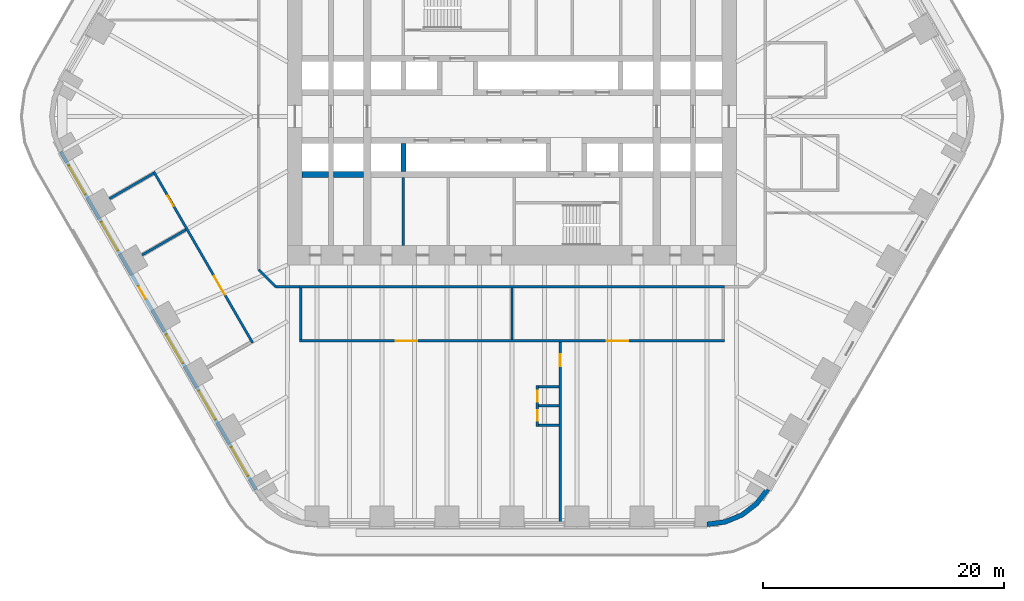
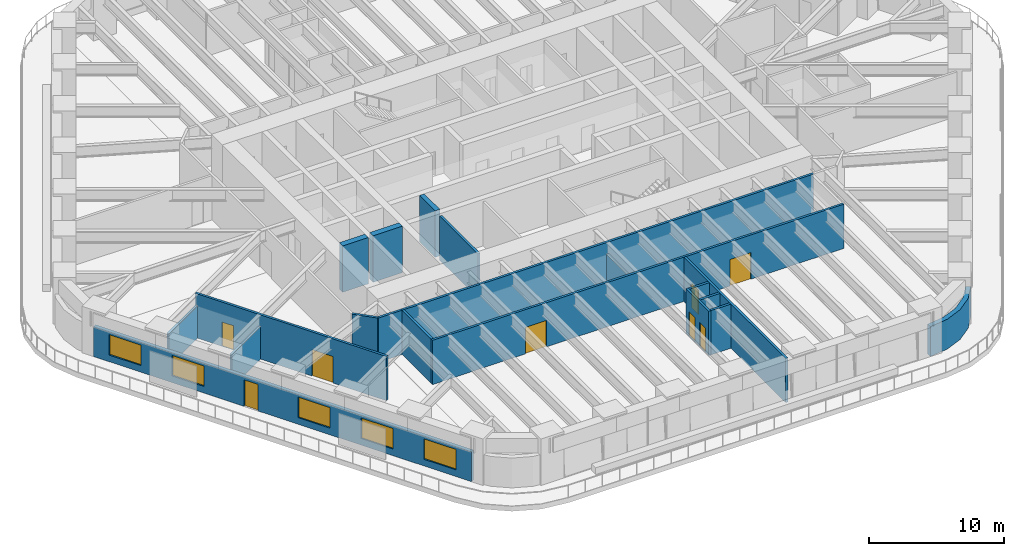
# One storey, part 16 of 24: 20 walls, 8 doors, 5 windows, 13 openings.
"""IFC4 building model written with IfcOpenShell, lengths in metres."""

from ifc_helpers import new_model, si_unit, direction, frame, frame_2d, origin, place, context, subcontext, project, spatial, polyline, rectangle, outline, extrude, material, layer, layer_set, type_object, element, fill, save


model = new_model("IFC4")

# Units and contexts
model_context = context("Model", 3, precision=1e-05, world=origin(), true_north=direction((0.0, 1.0)))
body_context = subcontext(model_context, "Body", "Model", "MODEL_VIEW")
ifc_project = project(units=[si_unit("LENGTHUNIT", "METRE"), si_unit("AREAUNIT", "SQUARE_METRE"), si_unit("VOLUMEUNIT", "CUBIC_METRE"), si_unit("PLANEANGLEUNIT", "RADIAN"), si_unit("MASSUNIT", "GRAM", prefix="KILO")], contexts=[model_context])

# Site, building, storey
site_placement = place(None, origin())
site = spatial("IfcSite", under=ifc_project, at=site_placement, CompositionType="ELEMENT")
building_placement = place(site_placement, origin())
building = spatial("IfcBuilding", under=site, at=building_placement, Name="Tarfa Lantern Tower", CompositionType="ELEMENT")
storey_placement = place(building_placement, frame((0.0, 0.0, 69.699951171875)))
storey = spatial("IfcBuildingStorey", under=building, at=storey_placement, Name="L15", CompositionType="ELEMENT", Elevation=69.699951171875)

# Wall, openings, door, windows
ifc_material_1 = material(Name="Limestone cladding on blockwork", Category="masonry")
ifc_layer_1 = layer(ifc_material_1, 0.300048828125)
ifc_layer_set_1 = layer_set([ifc_layer_1], Name="EW1 STONE-CLAD WALL 300")
wall_type_1 = type_object("IfcWallType", Name="EW1 STONE-CLAD WALL 300", PredefinedType="SOLIDWALL", material=ifc_layer_set_1)
wall_1_placement = place(storey_placement, frame((-37.39794921875, -2.925048828125, 0.0), z_axis=(0.0, 0.0, 1.0), x_axis=(0.499999163675, -0.866025886636, 0.0)))
wall_1 = element("IfcWall", 1, at=wall_1_placement, inside=storey, type_object=wall_type_1, Name="Stone wall SW", PredefinedType="SOLIDWALL", context=body_context, shape_type="SweptSolid", body=[
    extrude(rectangle(XDim=32.33154296875, YDim=0.300048828125, at=frame_2d((16.165771484375, 0.0))), origin(), (0.0, 0.0, 1.0), 2.699951171875),
])
opening_1_placement = place(wall_1_placement, frame((1.3193359375, 0.0, 0.60009765625)))
opening_1 = element("IfcOpeningElement", 2, at=opening_1_placement, cuts=wall_1, Name="Opening W2", PredefinedType="OPENING", context=body_context, shape_type="SweptSolid", body=[
    extrude(rectangle(XDim=2.75, YDim=1.85009765625, at=frame_2d((1.375, 0.925048828125))), frame((0.0, 0.159912109375, 0.0), z_axis=(0.0, -1.0, 0.0), x_axis=(1.0, 0.0, 0.0)), (0.0, 0.0, 1.0), 0.320068359375),
])
opening_2_placement = place(wall_1_placement, frame((6.7080078125, 0.0, 0.60009765625)))
opening_2 = element("IfcOpeningElement", 3, at=opening_2_placement, cuts=wall_1, Name="Opening W2", PredefinedType="OPENING", context=body_context, shape_type="SweptSolid", body=[
    extrude(rectangle(XDim=2.75, YDim=1.85009765625, at=frame_2d((1.375, 0.925048828125))), frame((0.0, 0.159912109375, 0.0), z_axis=(0.0, -1.0, 0.0), x_axis=(1.0, 0.0, 0.0)), (0.0, 0.0, 1.0), 0.320068359375),
])
opening_3_placement = place(wall_1_placement, frame((12.87158203125, 0.0, 0.0)))
opening_3 = element("IfcOpeningElement", 4, at=opening_3_placement, cuts=wall_1, Name="Opening D56", PredefinedType="OPENING", context=body_context, shape_type="SweptSolid", body=[
    extrude(rectangle(XDim=1.199951171875, YDim=2.39990234375, at=frame_2d((0.60009765625, 1.199951171875))), frame((0.0, 0.159912109375, 0.0), z_axis=(0.0, -1.0, 0.0), x_axis=(1.0, 0.0, 0.0)), (0.0, 0.0, 1.0), 0.320068359375),
])
opening_4_placement = place(wall_1_placement, frame((17.485107421875, 0.0, 0.60009765625)))
opening_4 = element("IfcOpeningElement", 5, at=opening_4_placement, cuts=wall_1, Name="Opening W2", PredefinedType="OPENING", context=body_context, shape_type="SweptSolid", body=[
    extrude(rectangle(XDim=2.75, YDim=1.85009765625, at=frame_2d((1.375, 0.925048828125))), frame((0.0, 0.159912109375, 0.0), z_axis=(0.0, -1.0, 0.0), x_axis=(1.0, 0.0, 0.0)), (0.0, 0.0, 1.0), 0.320068359375),
])
opening_5_placement = place(wall_1_placement, frame((22.873779296875, 0.0, 0.60009765625)))
opening_5 = element("IfcOpeningElement", 6, at=opening_5_placement, cuts=wall_1, Name="Opening W2", PredefinedType="OPENING", context=body_context, shape_type="SweptSolid", body=[
    extrude(rectangle(XDim=2.75, YDim=1.85009765625, at=frame_2d((1.375, 0.925048828125))), frame((0.0, 0.159912109375, 0.0), z_axis=(0.0, -1.0, 0.0), x_axis=(1.0, 0.0, 0.0)), (0.0, 0.0, 1.0), 0.320068359375),
])
opening_6_placement = place(wall_1_placement, frame((28.26220703125, 0.0, 0.60009765625)))
opening_6 = element("IfcOpeningElement", 7, at=opening_6_placement, cuts=wall_1, Name="Opening W2", PredefinedType="OPENING", context=body_context, shape_type="SweptSolid", body=[
    extrude(rectangle(XDim=2.75, YDim=1.85009765625, at=frame_2d((1.375, 0.925048828125))), frame((0.0, 0.159912109375, 0.0), z_axis=(0.0, -1.0, 0.0), x_axis=(1.0, 0.0, 0.0)), (0.0, 0.0, 1.0), 0.320068359375),
])
ifc_material_2 = material(Name="Aluminium framed glazed door", Category="aluminium")
door_type_1 = type_object("IfcDoorType", Name="BE3 BALCONY DOOR 1200x2400", OperationType="SINGLE_SWING_RIGHT", PredefinedType="DOOR", material=ifc_material_2)
door_1_placement = place(opening_3_placement, origin())
door_1 = element("IfcDoor", 8, at=door_1_placement, inside=storey, type_object=door_type_1, Name="Balcony door SW", OperationType="SINGLE_SWING_RIGHT", OverallHeight=2.39990234375, OverallWidth=1.199951171875, PredefinedType="DOOR", context=body_context, shape_type="SweptSolid", body=[
    extrude(rectangle(XDim=1.199951171875, YDim=2.39990234375, at=frame_2d((0.60009765625, 1.199951171875))), frame((0.0, 0.02490234375, 0.0), z_axis=(0.0, -1.0, 0.0), x_axis=(1.0, 0.0, 0.0)), (0.0, 0.0, 1.0), 0.050048828125),
])
fill(opening_3, door_1)
ifc_material_3 = material(Name="Aluminium frame, double glazed", Category="aluminium")
window_type = type_object("IfcWindowType", Name="W2 FULL-HEIGHT GLAZING 2750x1850", PartitioningType="SINGLE_PANEL", PredefinedType="WINDOW", material=ifc_material_3)
window_1_placement = place(opening_1_placement, origin())
window_1 = element("IfcWindow", 9, at=window_1_placement, inside=storey, type_object=window_type, Name="Window SW 1", OverallHeight=1.85009765625, OverallWidth=2.75, PartitioningType="SINGLE_PANEL", PredefinedType="WINDOW", context=body_context, shape_type="SweptSolid", body=[
    extrude(rectangle(XDim=2.75, YDim=1.85009765625, at=frame_2d((1.375, 0.925048828125))), frame((0.0, 0.030029296875, 0.0), z_axis=(0.0, -1.0, 0.0), x_axis=(1.0, 0.0, 0.0)), (0.0, 0.0, 1.0), 0.06005859375),
])
fill(opening_1, window_1)
window_2_placement = place(opening_2_placement, origin())
window_2 = element("IfcWindow", 10, at=window_2_placement, inside=storey, type_object=window_type, Name="Window SW 2", OverallHeight=1.85009765625, OverallWidth=2.75, PartitioningType="SINGLE_PANEL", PredefinedType="WINDOW", context=body_context, shape_type="SweptSolid", body=[
    extrude(rectangle(XDim=2.75, YDim=1.85009765625, at=frame_2d((1.375, 0.925048828125))), frame((0.0, 0.030029296875, 0.0), z_axis=(0.0, -1.0, 0.0), x_axis=(1.0, 0.0, 0.0)), (0.0, 0.0, 1.0), 0.06005859375),
])
fill(opening_2, window_2)
window_3_placement = place(opening_4_placement, origin())
window_3 = element("IfcWindow", 11, at=window_3_placement, inside=storey, type_object=window_type, Name="Window SW 4", OverallHeight=1.85009765625, OverallWidth=2.75, PartitioningType="SINGLE_PANEL", PredefinedType="WINDOW", context=body_context, shape_type="SweptSolid", body=[
    extrude(rectangle(XDim=2.75, YDim=1.85009765625, at=frame_2d((1.375, 0.925048828125))), frame((0.0, 0.030029296875, 0.0), z_axis=(0.0, -1.0, 0.0), x_axis=(1.0, 0.0, 0.0)), (0.0, 0.0, 1.0), 0.06005859375),
])
fill(opening_4, window_3)
window_4_placement = place(opening_5_placement, origin())
window_4 = element("IfcWindow", 12, at=window_4_placement, inside=storey, type_object=window_type, Name="Window SW 5", OverallHeight=1.85009765625, OverallWidth=2.75, PartitioningType="SINGLE_PANEL", PredefinedType="WINDOW", context=body_context, shape_type="SweptSolid", body=[
    extrude(rectangle(XDim=2.75, YDim=1.85009765625, at=frame_2d((1.375, 0.925048828125))), frame((0.0, 0.030029296875, 0.0), z_axis=(0.0, -1.0, 0.0), x_axis=(1.0, 0.0, 0.0)), (0.0, 0.0, 1.0), 0.06005859375),
])
fill(opening_5, window_4)
window_5_placement = place(opening_6_placement, origin())
window_5 = element("IfcWindow", 13, at=window_5_placement, inside=storey, type_object=window_type, Name="Window SW 6", OverallHeight=1.85009765625, OverallWidth=2.75, PartitioningType="SINGLE_PANEL", PredefinedType="WINDOW", context=body_context, shape_type="SweptSolid", body=[
    extrude(rectangle(XDim=2.75, YDim=1.85009765625, at=frame_2d((1.375, 0.925048828125))), frame((0.0, 0.030029296875, 0.0), z_axis=(0.0, -1.0, 0.0), x_axis=(1.0, 0.0, 0.0)), (0.0, 0.0, 1.0), 0.06005859375),
])
fill(opening_6, window_5)

# Walls
ifc_layer_2 = layer(ifc_material_1, 0.39990234375)
ifc_layer_set_2 = layer_set([ifc_layer_2], Name="EW2 CURVED STONE CORNER 400")
wall_type_2 = type_object("IfcWallType", Name="EW2 CURVED STONE CORNER 400", PredefinedType="SOLIDWALL", material=ifc_layer_set_2)
wall_2_placement = place(storey_placement, origin())
element("IfcWall", 14, at=wall_2_placement, inside=storey, type_object=wall_type_2, Name="Stone corner S-SE", PredefinedType="SOLIDWALL", context=body_context, shape_type="SweptSolid", body=[
    extrude(outline(polyline([(16.165771484375, -34.0), (17.71875, -33.795654296875), (19.165771484375, -33.196044921875), (20.408447265625, -32.24267578125), (21.362060546875, -31.0), (21.015625, -30.800048828125), (20.12548828125, -31.959716796875), (18.9658203125, -32.849853515625), (17.615234375, -33.4091796875), (16.165771484375, -33.60009765625), (16.165771484375, -34.0)])), origin(), (0.0, 0.0, 1.0), 2.699951171875),
])
ifc_material_4 = material(Name="Concrete blockwork", Category="masonry")
ifc_layer_3 = layer(ifc_material_4, 0.199951171875)
ifc_layer_set_3 = layer_set([ifc_layer_3], Name="IW1 BLOCKWORK PARTITION 200 EI 120")
wall_type_3 = type_object("IfcWallType", Name="IW1 BLOCKWORK PARTITION 200 EI 120", PredefinedType="PARTITIONING", material=ifc_layer_set_3)
wall_3_placement = place(storey_placement, frame((-9.0, -5.050048828125, 0.0), z_axis=(0.0, 0.0, 1.0), x_axis=(0.0, -1.0, 0.0)))
element("IfcWall", 15, at=wall_3_placement, inside=storey, type_object=wall_type_3, Name="Core partition", PredefinedType="PARTITIONING", context=body_context, shape_type="SweptSolid", body=[
    extrude(rectangle(XDim=5.64990234375, YDim=0.199951171875, at=frame_2d((2.824951171875, 0.0))), origin(), (0.0, 0.0, 1.0), 4.0),
])
ifc_material_5 = material(Name="Gypsum board on steel studs", Category="steel")
ifc_layer_4 = layer(ifc_material_5, 0.2099609375)
ifc_layer_set_4 = layer_set([ifc_layer_4], Name="IW2 ACOUSTIC PARTITION 200")
wall_type_4 = type_object("IfcWallType", Name="IW2 ACOUSTIC PARTITION 200", PredefinedType="PARTITIONING", material=ifc_layer_set_4)
wall_4_placement = place(storey_placement, frame((17.60009765625, -14.10009765625, 0.0), z_axis=(0.0, 0.0, 1.0), x_axis=(-1.0, 0.0, 0.0)))
element("IfcWall", 16, at=wall_4_placement, inside=storey, type_object=wall_type_4, Name="Partition", PredefinedType="PARTITIONING", context=body_context, shape_type="SweptSolid", body=[
    extrude(rectangle(XDim=35.2001953125, YDim=0.199951171875, at=frame_2d((17.60009765625, 0.0))), origin(), (0.0, 0.0, 1.0), 4.0),
])

# Wall, openings, doors
wall_5_placement = place(storey_placement, frame((17.60009765625, -18.60009765625, 0.0), z_axis=(0.0, 0.0, 1.0), x_axis=(-1.0, 0.0, 0.0)))
wall_5 = element("IfcWall", 17, at=wall_5_placement, inside=storey, type_object=wall_type_4, Name="Partition", PredefinedType="PARTITIONING", context=body_context, shape_type="SweptSolid", body=[
    extrude(rectangle(XDim=35.2001953125, YDim=0.199951171875, at=frame_2d((17.60009765625, 0.0))), origin(), (0.0, 0.0, 1.0), 4.0),
])
opening_7_placement = place(wall_5_placement, frame((7.949951171875, 0.0, 0.0)))
opening_7 = element("IfcOpeningElement", 18, at=opening_7_placement, cuts=wall_5, Name="Opening D41", PredefinedType="OPENING", context=body_context, shape_type="SweptSolid", body=[
    extrude(rectangle(XDim=1.800048828125, YDim=2.39990234375, at=frame_2d((0.89990234375, 1.199951171875))), frame((0.0, 0.10986328125, 0.0), z_axis=(0.0, -1.0, 0.0), x_axis=(1.0, 0.0, 0.0)), (0.0, 0.0, 1.0), 0.219970703125),
])
opening_8_placement = place(wall_5_placement, frame((25.449951171875, 0.0, 0.0)))
opening_8 = element("IfcOpeningElement", 19, at=opening_8_placement, cuts=wall_5, Name="Opening D42", PredefinedType="OPENING", context=body_context, shape_type="SweptSolid", body=[
    extrude(rectangle(XDim=1.800048828125, YDim=2.39990234375, at=frame_2d((0.89990234375, 1.199951171875))), frame((0.0, 0.10986328125, 0.0), z_axis=(0.0, -1.0, 0.0), x_axis=(1.0, 0.0, 0.0)), (0.0, 0.0, 1.0), 0.219970703125),
])
ifc_material_6 = material(Name="Timber door", Category="wood")
door_type_2 = type_object("IfcDoorType", Name="DR2 ROOM DOOR 1800x2400", OperationType="DOUBLE_DOOR_SINGLE_SWING", PredefinedType="DOOR", material=ifc_material_6)
door_2_placement = place(opening_7_placement, frame((1.800048828125, 0.0, 0.0), z_axis=(0.0, 0.0, 1.0), x_axis=(-1.0, 0.0, 0.0)))
door_2 = element("IfcDoor", 20, at=door_2_placement, inside=storey, type_object=door_type_2, Name="Tender room door", OperationType="DOUBLE_DOOR_SINGLE_SWING", OverallHeight=2.39990234375, OverallWidth=1.800048828125, PredefinedType="DOOR", context=body_context, shape_type="SweptSolid", body=[
    extrude(rectangle(XDim=1.800048828125, YDim=2.39990234375, at=frame_2d((0.89990234375, 1.199951171875))), frame((0.0, 0.02490234375, 0.0), z_axis=(0.0, -1.0, 0.0), x_axis=(1.0, 0.0, 0.0)), (0.0, 0.0, 1.0), 0.050048828125),
])
fill(opening_7, door_2)
door_3_placement = place(opening_8_placement, frame((1.800048828125, 0.0, 0.0), z_axis=(0.0, 0.0, 1.0), x_axis=(-1.0, 0.0, 0.0)))
door_3 = element("IfcDoor", 21, at=door_3_placement, inside=storey, type_object=door_type_2, Name="Tender room door", OperationType="DOUBLE_DOOR_SINGLE_SWING", OverallHeight=2.39990234375, OverallWidth=1.800048828125, PredefinedType="DOOR", context=body_context, shape_type="SweptSolid", body=[
    extrude(rectangle(XDim=1.800048828125, YDim=2.39990234375, at=frame_2d((0.89990234375, 1.199951171875))), frame((0.0, 0.02490234375, 0.0), z_axis=(0.0, -1.0, 0.0), x_axis=(1.0, 0.0, 0.0)), (0.0, 0.0, 1.0), 0.050048828125),
])
fill(opening_8, door_3)

# Walls
wall_6_placement = place(storey_placement, frame((0.0, -14.199951171875, 0.0), z_axis=(0.0, 0.0, 1.0), x_axis=(0.0, -1.0, 0.0)))
element("IfcWall", 22, at=wall_6_placement, inside=storey, type_object=wall_type_4, Name="Partition", PredefinedType="PARTITIONING", context=body_context, shape_type="SweptSolid", body=[
    extrude(rectangle(XDim=4.300048828125, YDim=0.199951171875, at=frame_2d((2.14990234375, 0.0))), origin(), (0.0, 0.0, 1.0), 2.944091796875),
])
wall_7_placement = place(storey_placement, frame((-17.5, -14.199951171875, 0.0), z_axis=(0.0, 0.0, 1.0), x_axis=(0.0, -1.0, 0.0)))
element("IfcWall", 23, at=wall_7_placement, inside=storey, type_object=wall_type_4, Name="Partition", PredefinedType="PARTITIONING", context=body_context, shape_type="SweptSolid", body=[
    extrude(rectangle(XDim=4.300048828125, YDim=0.199951171875, at=frame_2d((2.14990234375, 0.0))), origin(), (0.0, 0.0, 1.0), 4.0),
])

# Wall, openings, doors
wall_8_placement = place(storey_placement, frame((-29.687255859375, -4.580078125, 0.0), z_axis=(0.0, 0.0, 1.0), x_axis=(0.500000949028, -0.866024855862, 0.0)))
wall_8 = element("IfcWall", 24, at=wall_8_placement, inside=storey, type_object=wall_type_4, Name="Partition", PredefinedType="PARTITIONING", context=body_context, shape_type="SweptSolid", body=[
    extrude(rectangle(XDim=16.36572265625, YDim=0.199951171875, at=frame_2d((8.182861328125, 0.0))), origin(), (0.0, 0.0, 1.0), 4.0),
])
opening_9_placement = place(wall_8_placement, frame((2.294189453125, 0.0, 0.0)))
opening_9 = element("IfcOpeningElement", 25, at=opening_9_placement, cuts=wall_8, Name="Opening D39", PredefinedType="OPENING", context=body_context, shape_type="SweptSolid", body=[
    extrude(rectangle(XDim=1.0, YDim=2.199951171875, at=frame_2d((0.5, 1.10009765625))), frame((0.0, 0.10986328125, 0.0), z_axis=(0.0, -1.0, 0.0), x_axis=(1.0, 0.0, 0.0)), (0.0, 0.0, 1.0), 0.219970703125),
])
opening_10_placement = place(wall_8_placement, frame((9.977294921875, 0.0, 0.0)))
opening_10 = element("IfcOpeningElement", 26, at=opening_10_placement, cuts=wall_8, Name="Opening D40", PredefinedType="OPENING", context=body_context, shape_type="SweptSolid", body=[
    extrude(rectangle(XDim=1.800048828125, YDim=2.39990234375, at=frame_2d((0.89990234375, 1.199951171875))), frame((0.0, 0.10986328125, 0.0), z_axis=(0.0, -1.0, 0.0), x_axis=(1.0, 0.0, 0.0)), (0.0, 0.0, 1.0), 0.219970703125),
])
door_type_3 = type_object("IfcDoorType", Name="DR1 ROOM DOOR 1000x2200", OperationType="SINGLE_SWING_LEFT", PredefinedType="DOOR", material=ifc_material_6)
door_4_placement = place(opening_9_placement, frame((1.0, 0.0, 0.0), z_axis=(0.0, 0.0, 1.0), x_axis=(-1.0, 0.0, 0.0)))
door_4 = element("IfcDoor", 27, at=door_4_placement, inside=storey, type_object=door_type_3, Name="Quality inspection room door", OperationType="SINGLE_SWING_LEFT", OverallHeight=2.199951171875, OverallWidth=1.0, PredefinedType="DOOR", context=body_context, shape_type="SweptSolid", body=[
    extrude(rectangle(XDim=1.0, YDim=2.199951171875, at=frame_2d((0.5, 1.10009765625))), frame((0.0, 0.02490234375, 0.0), z_axis=(0.0, -1.0, 0.0), x_axis=(1.0, 0.0, 0.0)), (0.0, 0.0, 1.0), 0.050048828125),
])
fill(opening_9, door_4)
door_5_placement = place(opening_10_placement, frame((1.800048828125, 0.0, 0.0), z_axis=(0.0, 0.0, 1.0), x_axis=(-1.0, 0.0, 0.0)))
door_5 = element("IfcDoor", 28, at=door_5_placement, inside=storey, type_object=door_type_2, Name="File room door", OperationType="DOUBLE_DOOR_SINGLE_SWING", OverallHeight=2.39990234375, OverallWidth=1.800048828125, PredefinedType="DOOR", context=body_context, shape_type="SweptSolid", body=[
    extrude(rectangle(XDim=1.800048828125, YDim=2.39990234375, at=frame_2d((0.89990234375, 1.199951171875))), frame((0.0, 0.02490234375, 0.0), z_axis=(0.0, -1.0, 0.0), x_axis=(1.0, 0.0, 0.0)), (0.0, 0.0, 1.0), 0.050048828125),
])
fill(opening_10, door_5)

# Walls
for number, where, z_axis, x_axis, name in (
    (29, (-29.723876953125, -4.716552734375, 0.0), (0.0, 0.0, 1.0), (-0.866023935413, -0.500002543286, 0.0), "Partition"),
    (30, (-27.029541015625, -9.38330078125, 0.0), (0.0, 0.0, 1.0), (-0.866023935413, -0.500002543286, 0.0), "Partition"),
):
    element("IfcWall", number, at=place(storey_placement, frame(where, z_axis=z_axis, x_axis=x_axis)), inside=storey, type_object=wall_type_4, Name=name, PredefinedType="PARTITIONING", context=body_context, shape_type="SweptSolid", body=[
        extrude(rectangle(XDim=4.2001953125, YDim=0.199951171875, at=frame_2d((2.10009765625, 0.0))), origin(), (0.0, 0.0, 1.0), 2.944091796875),
    ])
wall_9_placement = place(storey_placement, frame((-17.60009765625, -14.10009765625, 0.0), z_axis=(0.0, 0.0, 1.0), x_axis=(-1.0, 0.0, 0.0)))
element("IfcWall", 31, at=wall_9_placement, inside=storey, type_object=wall_type_4, Name="Partition", PredefinedType="PARTITIONING", context=body_context, shape_type="SweptSolid", body=[
    extrude(rectangle(XDim=2.0, YDim=0.199951171875, at=frame_2d((1.0, 0.0))), origin(), (0.0, 0.0, 1.0), 4.0),
])
wall_10_placement = place(storey_placement, frame((-19.60009765625, -14.10009765625, 0.0), z_axis=(0.0, 0.0, 1.0), x_axis=(-0.707045124756, 0.707168432242, 0.0)))
element("IfcWall", 32, at=wall_10_placement, inside=storey, type_object=wall_type_4, Name="Partition", PredefinedType="PARTITIONING", context=body_context, shape_type="SweptSolid", body=[
    extrude(rectangle(XDim=1.97998046875, YDim=0.199951171875, at=frame_2d((0.989990234375, 0.0))), origin(), (0.0, 0.0, 1.0), 4.0),
])

# Wall, opening, door
wall_11_placement = place(storey_placement, frame((4.0, -18.699951171875, 0.0), z_axis=(0.0, 0.0, 1.0), x_axis=(0.0, -1.0, 0.0)))
wall_11 = element("IfcWall", 33, at=wall_11_placement, inside=storey, type_object=wall_type_4, Name="Partition", PredefinedType="PARTITIONING", context=body_context, shape_type="SweptSolid", body=[
    extrude(rectangle(XDim=15.10009765625, YDim=0.199951171875, at=frame_2d((7.550048828125, 0.0))), origin(), (0.0, 0.0, 1.0), 4.0),
])
opening_11_placement = place(wall_11_placement, frame((1.010009765625, 0.0, 0.0)))
opening_11 = element("IfcOpeningElement", 34, at=opening_11_placement, cuts=wall_11, Name="Opening D52", PredefinedType="OPENING", context=body_context, shape_type="SweptSolid", body=[
    extrude(rectangle(XDim=1.0, YDim=2.199951171875, at=frame_2d((0.5, 1.10009765625))), frame((0.0, 0.10986328125, 0.0), z_axis=(0.0, -1.0, 0.0), x_axis=(1.0, 0.0, 0.0)), (0.0, 0.0, 1.0), 0.219970703125),
])
door_6_placement = place(opening_11_placement, origin())
door_6 = element("IfcDoor", 35, at=door_6_placement, inside=storey, type_object=door_type_3, Name="Zone door", OperationType="SINGLE_SWING_RIGHT", OverallHeight=2.199951171875, OverallWidth=1.0, PredefinedType="DOOR", context=body_context, shape_type="SweptSolid", body=[
    extrude(rectangle(XDim=1.0, YDim=2.199951171875, at=frame_2d((0.5, 1.10009765625))), frame((0.0, 0.02490234375, 0.0), z_axis=(0.0, -1.0, 0.0), x_axis=(1.0, 0.0, 0.0)), (0.0, 0.0, 1.0), 0.050048828125),
])
fill(opening_11, door_6)

# Wall, openings, doors
wall_12_placement = place(storey_placement, frame((2.10009765625, -22.284912109375, 0.0), z_axis=(0.0, 0.0, 1.0), x_axis=(0.0, -1.0, 0.0)))
wall_12 = element("IfcWall", 36, at=wall_12_placement, inside=storey, type_object=wall_type_4, Name="Partition", PredefinedType="PARTITIONING", context=body_context, shape_type="SweptSolid", body=[
    extrude(rectangle(XDim=3.400146484375, YDim=0.199951171875, at=frame_2d((1.7001953125, 0.0))), origin(), (0.0, 0.0, 1.0), 4.0),
])
opening_12_placement = place(wall_12_placement, frame((0.449951171875, 0.0, 0.0)))
opening_12 = element("IfcOpeningElement", 37, at=opening_12_placement, cuts=wall_12, Name="Opening D45", PredefinedType="OPENING", context=body_context, shape_type="SweptSolid", body=[
    extrude(rectangle(XDim=0.89990234375, YDim=2.199951171875, at=frame_2d((0.449951171875, 1.10009765625))), frame((0.0, 0.10986328125, 0.0), z_axis=(0.0, -1.0, 0.0), x_axis=(1.0, 0.0, 0.0)), (0.0, 0.0, 1.0), 0.219970703125),
])
opening_13_placement = place(wall_12_placement, frame((2.050048828125, 0.0, 0.0)))
opening_13 = element("IfcOpeningElement", 38, at=opening_13_placement, cuts=wall_12, Name="Opening D46", PredefinedType="OPENING", context=body_context, shape_type="SweptSolid", body=[
    extrude(rectangle(XDim=0.89990234375, YDim=2.199951171875, at=frame_2d((0.449951171875, 1.10009765625))), frame((0.0, 0.10986328125, 0.0), z_axis=(0.0, -1.0, 0.0), x_axis=(1.0, 0.0, 0.0)), (0.0, 0.0, 1.0), 0.219970703125),
])
door_type_4 = type_object("IfcDoorType", Name="DR3 ROOM DOOR 900x2200", OperationType="SINGLE_SWING_LEFT", PredefinedType="DOOR", material=ifc_material_6)
door_7_placement = place(opening_12_placement, origin())
door_7 = element("IfcDoor", 39, at=door_7_placement, inside=storey, type_object=door_type_4, Name="Phone booth door", OperationType="SINGLE_SWING_RIGHT", OverallHeight=2.199951171875, OverallWidth=0.89990234375, PredefinedType="DOOR", context=body_context, shape_type="SweptSolid", body=[
    extrude(rectangle(XDim=0.89990234375, YDim=2.199951171875, at=frame_2d((0.449951171875, 1.10009765625))), frame((0.0, 0.02490234375, 0.0), z_axis=(0.0, -1.0, 0.0), x_axis=(1.0, 0.0, 0.0)), (0.0, 0.0, 1.0), 0.050048828125),
])
fill(opening_12, door_7)
door_8_placement = place(opening_13_placement, origin())
door_8 = element("IfcDoor", 40, at=door_8_placement, inside=storey, type_object=door_type_4, Name="Phone booth door", OperationType="SINGLE_SWING_LEFT", OverallHeight=2.199951171875, OverallWidth=0.89990234375, PredefinedType="DOOR", context=body_context, shape_type="SweptSolid", body=[
    extrude(rectangle(XDim=0.89990234375, YDim=2.199951171875, at=frame_2d((0.449951171875, 1.10009765625))), frame((0.0, 0.02490234375, 0.0), z_axis=(0.0, -1.0, 0.0), x_axis=(1.0, 0.0, 0.0)), (0.0, 0.0, 1.0), 0.050048828125),
])
fill(opening_13, door_8)

# Walls
for number, where, z_axis, x_axis, name in (
    (41, (3.89990234375, -22.385009765625, 0.0), (0.0, 0.0, 1.0), (-1.0, 0.0, 0.0), "Partition"),
    (42, (3.89990234375, -23.985107421875, 0.0), (0.0, 0.0, 1.0), (-1.0, 0.0, 0.0), "Partition"),
    (43, (3.89990234375, -25.5849609375, 0.0), (0.0, 0.0, 1.0), (-1.0, 0.0, 0.0), "Partition"),
):
    element("IfcWall", number, at=place(storey_placement, frame(where, z_axis=z_axis, x_axis=x_axis)), inside=storey, type_object=wall_type_4, Name=name, PredefinedType="PARTITIONING", context=body_context, shape_type="SweptSolid", body=[
        extrude(rectangle(XDim=1.699951171875, YDim=0.199951171875, at=frame_2d((0.85009765625, 0.0))), origin(), (0.0, 0.0, 1.0), 4.0),
    ])
ifc_material_7 = material(Name="Concrete C80/95", Category="concrete")
ifc_layer_5 = layer(ifc_material_7, 0.5)
ifc_layer_set_5 = layer_set([ifc_layer_5], Name="SW5 CORE WALL 500")
wall_type_5 = type_object("IfcWallType", Name="SW5 CORE WALL 500", PredefinedType="SHEAR", material=ifc_layer_set_5)
wall_13_placement = place(storey_placement, frame((-12.300048828125, -4.800048828125, 0.0), z_axis=(0.0, 0.0, 1.0), x_axis=(-1.0, 0.0, 0.0)))
element("IfcWall", 44, at=wall_13_placement, inside=storey, type_object=wall_type_5, Name="Core wall rear S", PredefinedType="SHEAR", context=body_context, shape_type="SweptSolid", body=[
    extrude(rectangle(XDim=2.5, YDim=0.5, at=frame_2d((1.25, 0.0))), origin(), (0.0, 0.0, 1.0), 4.199951171875),
])
wall_14_placement = place(storey_placement, frame((-15.199951171875, -4.800048828125, 0.0), z_axis=(0.0, 0.0, 1.0), x_axis=(-1.0, 0.0, 0.0)))
element("IfcWall", 45, at=wall_14_placement, inside=storey, type_object=wall_type_5, Name="Core wall rear S", PredefinedType="SHEAR", context=body_context, shape_type="SweptSolid", body=[
    extrude(rectangle(XDim=2.199951171875, YDim=0.5, at=frame_2d((1.10009765625, 0.0))), origin(), (0.0, 0.0, 1.0), 4.199951171875),
])
ifc_layer_6 = layer(ifc_material_7, 0.39990234375)
ifc_layer_set_6 = layer_set([ifc_layer_6], Name="SW6 CORE WALL 400")
wall_type_6 = type_object("IfcWallType", Name="SW6 CORE WALL 400", PredefinedType="SHEAR", material=ifc_layer_set_6)
wall_15_placement = place(storey_placement, frame((-9.0, -2.25, 0.0), z_axis=(0.0, 0.0, 1.0), x_axis=(0.0, -1.0, 0.0)))
element("IfcWall", 46, at=wall_15_placement, inside=storey, type_object=wall_type_6, Name="Core wall divider S", PredefinedType="SHEAR", context=body_context, shape_type="SweptSolid", body=[
    extrude(rectangle(XDim=2.300048828125, YDim=0.39990234375, at=frame_2d((1.14990234375, 0.0))), origin(), (0.0, 0.0, 1.0), 4.199951171875),
])

save(model, "model.ifc")
